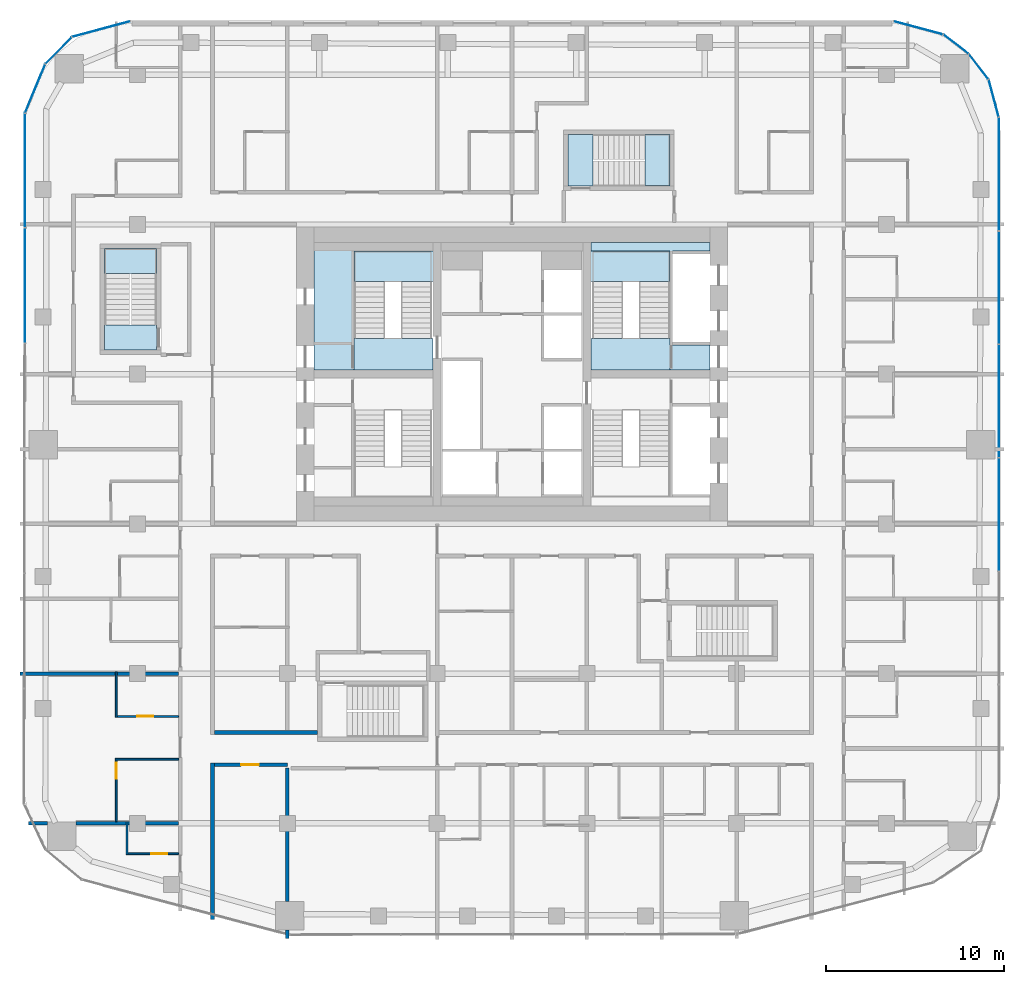
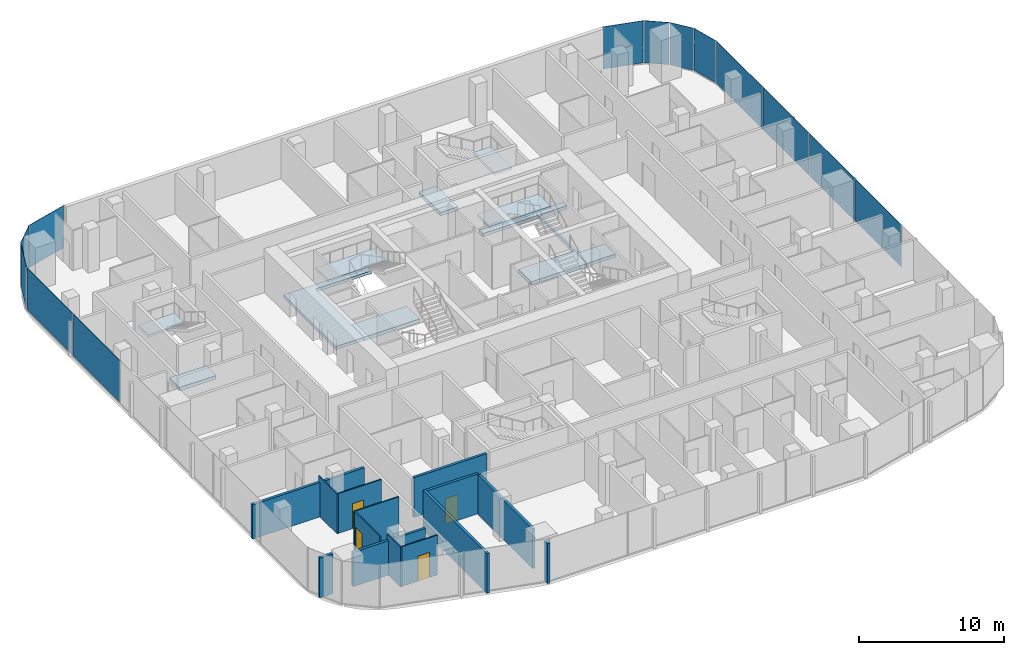
# One storey, part 13 of 23: 14 walls, 13 plates, 10 slabs, 4 doors, 4 openings, 13 elements without a shape of their own.
"""IFC4 building model written with IfcOpenShell, lengths in metres."""

from ifc_helpers import new_model, si_unit, direction, frame, frame_2d, origin, origin_2d, place, context, subcontext, project, spatial, polyline, rectangle, outline, extrude, material, layer, layer_set, type_object, element, fill, aggregate, save


model = new_model("IFC4")

# Units and contexts
model_context = context("Model", 3, precision=1e-05, world=origin(), true_north=direction((0.0, 1.0)))
body_context = subcontext(model_context, "Body", "Model", "MODEL_VIEW")
ifc_project = project(units=[si_unit("LENGTHUNIT", "METRE"), si_unit("AREAUNIT", "SQUARE_METRE"), si_unit("VOLUMEUNIT", "CUBIC_METRE"), si_unit("PLANEANGLEUNIT", "RADIAN"), si_unit("MASSUNIT", "GRAM", prefix="KILO")], contexts=[model_context])

# Site, building, storey
site_placement = place(None, origin())
site = spatial("IfcSite", under=ifc_project, at=site_placement, CompositionType="ELEMENT")
building_placement = place(site_placement, origin())
building = spatial("IfcBuilding", under=site, at=building_placement, Name="Marenta Gate Hotel Tower", CompositionType="ELEMENT")
storey_placement = place(building_placement, frame((0.0, 0.0, 140.89990234375)))
storey = spatial("IfcBuildingStorey", under=building, at=storey_placement, Name="L32", CompositionType="ELEMENT", Elevation=140.89990234375)

# Slabs
ifc_material_1 = material(Name="Concrete C40", Category="concrete")
ifc_layer_1 = layer(ifc_material_1, 0.260009765625)
ifc_layer_set_1 = layer_set([ifc_layer_1], Name="Concrete C40")
slab_type_1 = type_object("IfcSlabType", Name="Core floor slab 260", PredefinedType="FLOOR", material=ifc_layer_set_1)
slab_1_placement = place(storey_placement, frame((0.0, 0.0, -0.260009765625)))
element("IfcSlab", 1, at=slab_1_placement, inside=storey, type_object=slab_type_1, Name="L32-CF-3", PredefinedType="FLOOR", context=body_context, shape_type="SweptSolid", body=[
    extrude(outline(polyline([(8.85009765625, 15.300048828125), (4.425048828125, 15.300048828125), (4.425048828125, 15.800048828125), (11.10009765625, 15.800048828125), (11.10009765625, 15.300048828125), (9.0, 15.300048828125), (9.0, 15.14990234375), (9.0, 12.75), (9.0, 12.60009765625), (9.0, 10.199951171875), (9.0, 10.050048828125), (11.10009765625, 10.050048828125), (11.10009765625, 8.625), (8.85009765625, 8.625), (8.85009765625, 8.699951171875), (8.85009765625, 10.39990234375), (8.85009765625, 15.300048828125)])), origin(), (0.0, 0.0, 1.0), 0.260009765625),
])
slab_2_placement = place(storey_placement, frame((0.0, 0.0, -0.260009765625)))
element("IfcSlab", 2, at=slab_2_placement, inside=storey, type_object=slab_type_1, Name="L32-CF-6", PredefinedType="FLOOR", context=body_context, shape_type="SweptSolid", body=[
    extrude(outline(polyline([(-4.425048828125, 15.300048828125), (-8.85009765625, 15.300048828125), (-8.85009765625, 10.39990234375), (-8.85009765625, 8.699951171875), (-8.85009765625, 8.625), (-11.10009765625, 8.625), (-11.10009765625, 15.800048828125), (-4.425048828125, 15.800048828125), (-4.425048828125, 15.300048828125)])), origin(), (0.0, 0.0, 1.0), 0.260009765625),
])

# Stair, slab
ifc_material_2 = material(Name="Concrete C40", Category="concrete")
stair_type_1 = type_object("IfcStairType", Name="Core exit stair 1700 wide", PredefinedType="HALF_TURN_STAIR", material=ifc_material_2)
stair_1_placement = place(storey_placement, origin())
stair_1 = element("IfcStair", 3, at=stair_1_placement, inside=storey, type_object=stair_type_1, Name="Exit stair 2", PredefinedType="HALF_TURN_STAIR")
ifc_material_3 = material(Name="Concrete C40", Category="concrete")
ifc_layer_2 = layer(ifc_material_3, 0.199951171875)
ifc_layer_set_2 = layer_set([ifc_layer_2], Name="Concrete C40")
slab_type_2 = type_object("IfcSlabType", Name="Core stair landing 200", PredefinedType="LANDING", material=ifc_layer_set_2)
slab_3_placement = place(storey_placement, frame((0.0, 0.0, 1.60009765625)))
slab_3 = element("IfcSlab", 4, at=slab_3_placement, type_object=slab_type_2, Name="SL-200 ST2 landing 1", PredefinedType="LANDING", context=body_context, shape_type="SweptSolid", body=[
    extrude(outline(polyline([(-8.85009765625, 13.590087890625), (-3.97509765625, 13.590087890625), (-3.97509765625, 15.300048828125), (-8.85009765625, 15.300048828125), (-8.85009765625, 13.590087890625)])), origin(), (0.0, 0.0, 1.0), 0.199951171875),
])
aggregate(stair_1, [slab_3])

stair_2_placement = place(storey_placement, origin())
stair_2 = element("IfcStair", 5, at=stair_2_placement, inside=storey, type_object=stair_type_1, Name="Exit stair 4", PredefinedType="HALF_TURN_STAIR")
slab_4_placement = place(storey_placement, frame((0.0, 0.0, 1.60009765625)))
slab_4 = element("IfcSlab", 6, at=slab_4_placement, type_object=slab_type_2, Name="SL-200 ST4 landing 1", PredefinedType="LANDING", context=body_context, shape_type="SweptSolid", body=[
    extrude(outline(polyline([(3.97509765625, 13.590087890625), (8.85009765625, 13.590087890625), (8.85009765625, 15.300048828125), (3.97509765625, 15.300048828125), (3.97509765625, 13.590087890625)])), origin(), (0.0, 0.0, 1.0), 0.199951171875),
])
aggregate(stair_2, [slab_4])

# Curtain wall, plate
ifc_material_4 = material(Name="Tinted insulated glass in bronze anodised frame", Category="glass")
ifc_layer_3 = layer(ifc_material_4, 0.1201171875)
ifc_layer_set_3 = layer_set([ifc_layer_3], Name="Tinted insulated glass in bronze anodised frame")
curtain_wall_type = type_object("IfcCurtainWallType", Name="Tower unitised curtain wall CW1", PredefinedType="NOTDEFINED", material=ifc_layer_set_3)
curtain_wall_1_placement = place(storey_placement, origin())
curtain_wall_1 = element("IfcCurtainWall", 7, at=curtain_wall_1_placement, inside=storey, type_object=curtain_wall_type, Name="CW1 run G00", PredefinedType="NOTDEFINED")
ifc_material_5 = material(Name="Tinted insulated glass", Category="glass")
ifc_layer_4 = layer(ifc_material_5, 0.028076171875)
ifc_layer_set_4 = layer_set([ifc_layer_4], Name="Tinted insulated glass")
plate_type = type_object("IfcPlateType", Name="Glass panel CW1 28 mm tinted insulated unit", PredefinedType="CURTAIN_PANEL", material=ifc_layer_set_4)
plate_1_placement = place(storey_placement, frame((-23.04052734375, 27.759765625, 0.06005859375), z_axis=(0.0, 0.0, 1.0), x_axis=(-0.96593059835, -0.258801234873, 0.0)))
plate_1 = element("IfcPlate", 8, at=plate_1_placement, type_object=plate_type, Name="CW1 panel 1.1", PredefinedType="CURTAIN_PANEL", context=body_context, shape_type="SweptSolid", body=[
    extrude(rectangle(XDim=3.366943359375, YDim=0.028076171875, at=origin_2d()), origin(), (0.0, 0.0, 1.0), 3.5400390625),
])
aggregate(curtain_wall_1, [plate_1])

curtain_wall_2_placement = place(storey_placement, origin())
curtain_wall_2 = element("IfcCurtainWall", 9, at=curtain_wall_2_placement, inside=storey, type_object=curtain_wall_type, Name="CW1 run G01", PredefinedType="NOTDEFINED")
plate_2_placement = place(storey_placement, frame((-25.440673828125, 26.550048828125, 0.06005859375), z_axis=(0.0, 0.0, 1.0), x_axis=(-0.707106781187, -0.707106781187, 0.0)))
plate_2 = element("IfcPlate", 10, at=plate_2_placement, type_object=plate_type, Name="CW1 panel 1.1", PredefinedType="CURTAIN_PANEL", context=body_context, shape_type="SweptSolid", body=[
    extrude(rectangle(XDim=2.069091796875, YDim=0.028076171875, at=origin_2d()), origin(), (0.0, 0.0, 1.0), 3.5400390625),
])
aggregate(curtain_wall_2, [plate_2])

curtain_wall_3_placement = place(storey_placement, origin())
curtain_wall_3 = element("IfcCurtainWall", 11, at=curtain_wall_3_placement, inside=storey, type_object=curtain_wall_type, Name="CW1 run G02", PredefinedType="NOTDEFINED")
plate_3_placement = place(storey_placement, frame((-26.75390625, 24.41455078125, 0.06005859375), z_axis=(0.0, 0.0, 1.0), x_axis=(-0.382671975111, -0.923884278178, 0.0)))
plate_3 = element("IfcPlate", 12, at=plate_3_placement, type_object=plate_type, Name="CW1 panel 1.1", PredefinedType="CURTAIN_PANEL", context=body_context, shape_type="SweptSolid", body=[
    extrude(rectangle(XDim=2.919189453125, YDim=0.028076171875, at=origin_2d()), origin(), (0.0, 0.0, 1.0), 3.5400390625),
])
aggregate(curtain_wall_3, [plate_3])

# Curtain wall, plates
curtain_wall_4_placement = place(storey_placement, origin())
curtain_wall_4 = element("IfcCurtainWall", 13, at=curtain_wall_4_placement, inside=storey, type_object=curtain_wall_type, Name="CW1 run G03", PredefinedType="NOTDEFINED")
plate_4_placement = place(storey_placement, frame((-27.3173828125, 19.8212890625, 0.06005859375), z_axis=(0.0, 0.0, 1.0), x_axis=(-0.001566045546, -0.99999877375, 0.0)))
plate_4 = element("IfcPlate", 14, at=plate_4_placement, type_object=plate_type, Name="CW1 panel 1.1", PredefinedType="CURTAIN_PANEL", context=body_context, shape_type="SweptSolid", body=[
    extrude(rectangle(XDim=6.3701171875, YDim=0.028076171875, at=origin_2d()), origin(), (0.0, 0.0, 1.0), 3.5400390625),
])
plate_5_placement = place(storey_placement, frame((-27.327392578125, 13.376220703125, 0.06005859375), z_axis=(0.0, 0.0, 1.0), x_axis=(-0.001566045546, -0.99999877375, 0.0)))
plate_5 = element("IfcPlate", 15, at=plate_5_placement, type_object=plate_type, Name="CW1 panel 2.1", PredefinedType="CURTAIN_PANEL", context=body_context, shape_type="SweptSolid", body=[
    extrude(rectangle(XDim=6.39990234375, YDim=0.028076171875, at=origin_2d()), origin(), (0.0, 0.0, 1.0), 3.5400390625),
])
aggregate(curtain_wall_4, [plate_4, plate_5])

curtain_wall_5_placement = place(storey_placement, origin())
curtain_wall_5 = element("IfcCurtainWall", 16, at=curtain_wall_5_placement, inside=storey, type_object=curtain_wall_type, Name="CW1 run G11", PredefinedType="NOTDEFINED")
plate_6_placement = place(storey_placement, frame((27.31396484375, 0.531982421875, 0.06005859375), z_axis=(0.0, 0.0, 1.0), x_axis=(0.0, 1.0, 0.0)))
plate_6 = element("IfcPlate", 17, at=plate_6_placement, type_object=plate_type, Name="CW1 panel 3.1", PredefinedType="CURTAIN_PANEL", context=body_context, shape_type="SweptSolid", body=[
    extrude(rectangle(XDim=6.300048828125, YDim=0.028076171875, at=origin_2d()), origin(), (0.0, 0.0, 1.0), 3.5400390625),
])
plate_7_placement = place(storey_placement, frame((27.31396484375, 6.891845703125, 0.06005859375), z_axis=(0.0, 0.0, 1.0), x_axis=(0.0, 1.0, 0.0)))
plate_7 = element("IfcPlate", 18, at=plate_7_placement, type_object=plate_type, Name="CW1 panel 4.1", PredefinedType="CURTAIN_PANEL", context=body_context, shape_type="SweptSolid", body=[
    extrude(rectangle(XDim=6.300048828125, YDim=0.028076171875, at=origin_2d()), origin(), (0.0, 0.0, 1.0), 3.5400390625),
])
plate_8_placement = place(storey_placement, frame((27.31396484375, 13.251953125, 0.06005859375), z_axis=(0.0, 0.0, 1.0), x_axis=(0.0, 1.0, 0.0)))
plate_8 = element("IfcPlate", 19, at=plate_8_placement, type_object=plate_type, Name="CW1 panel 5.1", PredefinedType="CURTAIN_PANEL", context=body_context, shape_type="SweptSolid", body=[
    extrude(rectangle(XDim=6.300048828125, YDim=0.028076171875, at=origin_2d()), origin(), (0.0, 0.0, 1.0), 3.5400390625),
])
plate_9_placement = place(storey_placement, frame((27.31396484375, 19.626953125, 0.06005859375), z_axis=(0.0, 0.0, 1.0), x_axis=(0.0, 1.0, 0.0)))
plate_9 = element("IfcPlate", 20, at=plate_9_placement, type_object=plate_type, Name="CW1 panel 6.1", PredefinedType="CURTAIN_PANEL", context=body_context, shape_type="SweptSolid", body=[
    extrude(rectangle(XDim=6.330078125, YDim=0.028076171875, at=origin_2d()), origin(), (0.0, 0.0, 1.0), 3.5400390625),
])
aggregate(curtain_wall_5, [plate_6, plate_7, plate_8, plate_9])

# Curtain wall, plate
curtain_wall_6_placement = place(storey_placement, origin())
curtain_wall_6 = element("IfcCurtainWall", 21, at=curtain_wall_6_placement, inside=storey, type_object=curtain_wall_type, Name="CW1 run G12", PredefinedType="NOTDEFINED")
plate_10_placement = place(storey_placement, frame((27.022216796875, 23.880615234375, 0.06005859375), z_axis=(0.0, 0.0, 1.0), x_axis=(-0.258822651658, 0.965924859908, 0.0)))
plate_10 = element("IfcPlate", 22, at=plate_10_placement, type_object=plate_type, Name="CW1 panel 1.1", PredefinedType="CURTAIN_PANEL", context=body_context, shape_type="SweptSolid", body=[
    extrude(rectangle(XDim=2.13427734375, YDim=0.028076171875, at=origin_2d()), origin(), (0.0, 0.0, 1.0), 3.5400390625),
])
aggregate(curtain_wall_6, [plate_10])

curtain_wall_7_placement = place(storey_placement, origin())
curtain_wall_7 = element("IfcCurtainWall", 23, at=curtain_wall_7_placement, inside=storey, type_object=curtain_wall_type, Name="CW1 run G13", PredefinedType="NOTDEFINED")
plate_11_placement = place(storey_placement, frame((26.177490234375, 25.652099609375, 0.06005859375), z_axis=(0.0, 0.0, 1.0), x_axis=(-0.608796116694, 0.793326722289, 0.0)))
plate_11 = element("IfcPlate", 24, at=plate_11_placement, type_object=plate_type, Name="CW1 panel 1.1", PredefinedType="CURTAIN_PANEL", context=body_context, shape_type="SweptSolid", body=[
    extrude(rectangle(XDim=1.747802734375, YDim=0.028076171875, at=origin_2d()), origin(), (0.0, 0.0, 1.0), 3.5400390625),
])
aggregate(curtain_wall_7, [plate_11])

curtain_wall_8_placement = place(storey_placement, origin())
curtain_wall_8 = element("IfcCurtainWall", 25, at=curtain_wall_8_placement, inside=storey, type_object=curtain_wall_type, Name="CW1 run G14", PredefinedType="NOTDEFINED")
plate_12_placement = place(storey_placement, frame((24.904541015625, 26.9140625, 0.06005859375), z_axis=(0.0, 0.0, 1.0), x_axis=(-0.793326722289, 0.608796116694, 0.0)))
plate_12 = element("IfcPlate", 26, at=plate_12_placement, type_object=plate_type, Name="CW1 panel 1.1", PredefinedType="CURTAIN_PANEL", context=body_context, shape_type="SweptSolid", body=[
    extrude(rectangle(XDim=1.747802734375, YDim=0.028076171875, at=origin_2d()), origin(), (0.0, 0.0, 1.0), 3.5400390625),
])
aggregate(curtain_wall_8, [plate_12])

curtain_wall_9_placement = place(storey_placement, origin())
curtain_wall_9 = element("IfcCurtainWall", 27, at=curtain_wall_9_placement, inside=storey, type_object=curtain_wall_type, Name="CW1 run G15", PredefinedType="NOTDEFINED")
plate_13_placement = place(storey_placement, frame((22.783935546875, 27.82861328125, 0.06005859375), z_axis=(0.0, 0.0, 1.0), x_axis=(-0.965929324305, 0.258805989975, 0.0)))
plate_13 = element("IfcPlate", 28, at=plate_13_placement, type_object=plate_type, Name="CW1 panel 1.1", PredefinedType="CURTAIN_PANEL", context=body_context, shape_type="SweptSolid", body=[
    extrude(rectangle(XDim=2.83544921875, YDim=0.028076171875, at=origin_2d()), origin(), (0.0, 0.0, 1.0), 3.5400390625),
])
aggregate(curtain_wall_9, [plate_13])

# Stair, slab
ifc_material_6 = material(Name="Concrete C40", Category="concrete")
stair_type_2 = type_object("IfcStairType", Name="Remote exit stair 1400 wide", PredefinedType="HALF_TURN_STAIR", material=ifc_material_6)
stair_3_placement = place(storey_placement, origin())
stair_3 = element("IfcStair", 29, at=stair_3_placement, inside=storey, type_object=stair_type_2, Name="Exit stair RS-Z1-3", PredefinedType="HALF_TURN_STAIR")
ifc_material_7 = material(Name="Concrete C40", Category="concrete")
ifc_layer_5 = layer(ifc_material_7, 0.199951171875)
ifc_layer_set_5 = layer_set([ifc_layer_5], Name="Concrete C40")
slab_type_3 = type_object("IfcSlabType", Name="Remote stair landing 200", PredefinedType="LANDING", material=ifc_layer_set_5)
slab_5_placement = place(storey_placement, frame((0.0, 0.0, 1.60009765625)))
slab_5 = element("IfcSlab", 30, at=slab_5_placement, type_object=slab_type_3, Name="RL-200 RS-Z1-3 landing 1", PredefinedType="LANDING", context=body_context, shape_type="SweptSolid", body=[
    extrude(outline(polyline([(-22.85009765625, 14.050048828125), (-19.949951171875, 14.050048828125), (-19.949951171875, 15.449951171875), (-22.85009765625, 15.449951171875), (-22.85009765625, 14.050048828125)])), origin(), (0.0, 0.0, 1.0), 0.199951171875),
])
aggregate(stair_3, [slab_5])

stair_4_placement = place(storey_placement, origin())
stair_4 = element("IfcStair", 31, at=stair_4_placement, inside=storey, type_object=stair_type_2, Name="Exit stair RS-Z2-4", PredefinedType="HALF_TURN_STAIR")
slab_6_placement = place(storey_placement, frame((0.0, 0.0, 1.60009765625)))
slab_6 = element("IfcSlab", 32, at=slab_6_placement, type_object=slab_type_3, Name="RL-200 RS-Z2-4 landing 1", PredefinedType="LANDING", context=body_context, shape_type="SweptSolid", body=[
    extrude(outline(polyline([(7.449951171875, 18.949951171875), (8.85009765625, 18.949951171875), (8.85009765625, 21.85009765625), (7.449951171875, 21.85009765625), (7.449951171875, 18.949951171875)])), origin(), (0.0, 0.0, 1.0), 0.199951171875),
])
aggregate(stair_4, [slab_6])

# Slabs
ifc_material_8 = material(Name="Concrete C40", Category="concrete")
ifc_layer_6 = layer(ifc_material_8, 0.300048828125)
ifc_layer_set_6 = layer_set([ifc_layer_6], Name="Concrete C40")
slab_type_4 = type_object("IfcSlabType", Name="Stair floor landing slab 300", PredefinedType="FLOOR", material=ifc_layer_set_6)
slab_7_placement = place(storey_placement, frame((0.0, 0.0, -0.2998046875)))
element("IfcSlab", 33, at=slab_7_placement, inside=storey, type_object=slab_type_4, Name="L32-CL-ST2-1", PredefinedType="FLOOR", context=body_context, shape_type="SweptSolid", body=[
    extrude(outline(polyline([(-4.425048828125, 8.625), (-8.85009765625, 8.625), (-8.85009765625, 8.699951171875), (-8.85009765625, 10.39990234375), (-4.425048828125, 10.39990234375), (-4.425048828125, 8.625)])), origin(), (0.0, 0.0, 1.0), 0.2998046875),
])
slab_8_placement = place(storey_placement, frame((0.0, 0.0, -0.2998046875)))
element("IfcSlab", 34, at=slab_8_placement, inside=storey, type_object=slab_type_4, Name="L32-CL-ST4-1", PredefinedType="FLOOR", context=body_context, shape_type="SweptSolid", body=[
    extrude(outline(polyline([(4.425048828125, 8.625), (4.425048828125, 10.39990234375), (8.85009765625, 10.39990234375), (8.85009765625, 8.699951171875), (8.85009765625, 8.625), (4.425048828125, 8.625)])), origin(), (0.0, 0.0, 1.0), 0.2998046875),
])
slab_9_placement = place(storey_placement, frame((0.0, 0.0, -0.2998046875)))
element("IfcSlab", 35, at=slab_9_placement, inside=storey, type_object=slab_type_4, Name="L32-RS-Z1-3-CL", PredefinedType="FLOOR", context=body_context, shape_type="SweptSolid", body=[
    extrude(outline(polyline([(-19.949951171875, 9.75), (-19.949951171875, 11.14990234375), (-22.85009765625, 11.14990234375), (-22.85009765625, 9.75), (-19.949951171875, 9.75)])), origin(), (0.0, 0.0, 1.0), 0.2998046875),
])
slab_10_placement = place(storey_placement, frame((0.0, 0.0, -0.2998046875)))
element("IfcSlab", 36, at=slab_10_placement, inside=storey, type_object=slab_type_4, Name="L32-RS-Z2-4-CL", PredefinedType="FLOOR", context=body_context, shape_type="SweptSolid", body=[
    extrude(outline(polyline([(4.550048828125, 18.949951171875), (4.550048828125, 21.85009765625), (3.14990234375, 21.85009765625), (3.14990234375, 18.949951171875), (4.550048828125, 18.949951171875)])), origin(), (0.0, 0.0, 1.0), 0.2998046875),
])

# Wall, opening, door
ifc_material_9 = material(Name="Gypsum board on steel stud", Category="steel")
ifc_layer_7 = layer(ifc_material_9, 0.199951171875)
ifc_layer_set_7 = layer_set([ifc_layer_7], Name="Gypsum board on steel stud")
wall_type_1 = type_object("IfcWallType", Name="Room corridor wall 200 EI 60", PredefinedType="PARTITIONING", material=ifc_layer_set_7)
wall_1_placement = place(storey_placement, frame((-16.699951171875, -13.5, 0.0), z_axis=(0.0, 0.0, 1.0), x_axis=(1.0, 0.0, 0.0)))
wall_1 = element("IfcWall", 37, at=wall_1_placement, inside=storey, type_object=wall_type_1, Name="L32-PTN-W029", PredefinedType="PARTITIONING", context=body_context, shape_type="SweptSolid", body=[
    extrude(rectangle(XDim=4.099853515625, YDim=0.199951171875, at=frame_2d((2.0498046875, 0.0))), origin(), (0.0, 0.0, 1.0), 3.340087890625),
])
opening_1_placement = place(wall_1_placement, frame((1.5, 0.0, 0.0)))
opening_1 = element("IfcOpeningElement", 38, at=opening_1_placement, cuts=wall_1, Name="Opening G12-38", PredefinedType="OPENING", context=body_context, shape_type="SweptSolid", body=[
    extrude(rectangle(XDim=1.0, YDim=2.10009765625, at=frame_2d((0.5, 1.050048828125))), frame((0.0, 0.10009765625, 0.0), z_axis=(0.0, -1.0, 0.0), x_axis=(1.0, 0.0, 0.0)), (0.0, 0.0, 1.0), 0.199951171875),
])
ifc_material_10 = material(Name="Timber door leaf", Category="wood")
door_type_1 = type_object("IfcDoorType", Name="Room amenity door 1000x2100 EI 30", OperationType="NOTDEFINED", PredefinedType="DOOR", material=ifc_material_10)
door_1_placement = place(opening_1_placement, origin())
door_1 = element("IfcDoor", 39, at=door_1_placement, inside=storey, type_object=door_type_1, Name="L32-PD-D038", OperationType="SINGLE_SWING_LEFT", OverallHeight=2.10009765625, OverallWidth=1.0, PredefinedType="DOOR", context=body_context, shape_type="SweptSolid", body=[
    extrude(rectangle(XDim=1.0, YDim=2.10009765625, at=frame_2d((0.5, 1.050048828125))), frame((0.0, 0.02490234375, 0.0), z_axis=(0.0, -1.0, 0.0), x_axis=(1.0, 0.0, 0.0)), (0.0, 0.0, 1.0), 0.050048828125),
])
fill(opening_1, door_1)

# Walls
wall_2_placement = place(storey_placement, frame((-16.699951171875, -11.699951171875, 0.0), z_axis=(0.0, 0.0, 1.0), x_axis=(1.0, 0.0, 0.0)))
element("IfcWall", 40, at=wall_2_placement, inside=storey, type_object=wall_type_1, Name="L32-PTN-W037", PredefinedType="PARTITIONING", context=body_context, shape_type="SweptSolid", body=[
    extrude(rectangle(XDim=5.800048828125, YDim=0.199951171875, at=frame_2d((2.89990234375, 0.0))), origin(), (0.0, 0.0, 1.0), 3.340087890625),
])
wall_3_placement = place(storey_placement, frame((-16.800048828125, -22.18603515625, 0.0), z_axis=(0.0, 0.0, 1.0), x_axis=(0.0, 1.0, 0.0)))
element("IfcWall", 41, at=wall_3_placement, inside=storey, type_object=wall_type_1, Name="L32-PTN-W103", PredefinedType="PARTITIONING", context=body_context, shape_type="SweptSolid", body=[
    extrude(rectangle(XDim=8.7861328125, YDim=0.199951171875, at=frame_2d((4.39306640625, 0.0))), origin(), (0.0, 0.0, 1.0), 3.340087890625),
])

# Wall, opening, door
ifc_material_11 = material(Name="Gypsum board on steel stud", Category="steel")
ifc_layer_8 = layer(ifc_material_11, 0.10009765625)
ifc_layer_set_8 = layer_set([ifc_layer_8], Name="Gypsum board on steel stud")
wall_type_2 = type_object("IfcWallType", Name="Room partition 100", PredefinedType="PARTITIONING", material=ifc_layer_set_8)
wall_4_placement = place(storey_placement, frame((-21.550048828125, -18.5, 0.0), z_axis=(0.0, 0.0, 1.0), x_axis=(1.0, 0.0, 0.0)))
wall_4 = element("IfcWall", 42, at=wall_4_placement, inside=storey, type_object=wall_type_2, Name="L32-PTN-W014", PredefinedType="PARTITIONING", context=body_context, shape_type="SweptSolid", body=[
    extrude(rectangle(XDim=2.85009765625, YDim=0.10009765625, at=frame_2d((1.425048828125, 0.0))), origin(), (0.0, 0.0, 1.0), 3.340087890625),
])
opening_2_placement = place(wall_4_placement, frame((1.300048828125, 0.0, 0.0)))
opening_2 = element("IfcOpeningElement", 43, at=opening_2_placement, cuts=wall_4, Name="Opening G12-51", PredefinedType="OPENING", context=body_context, shape_type="SweptSolid", body=[
    extrude(rectangle(XDim=0.89990234375, YDim=2.10009765625, at=frame_2d((0.449951171875, 1.050048828125))), frame((0.0, 0.050048828125, 0.0), z_axis=(0.0, -1.0, 0.0), x_axis=(1.0, 0.0, 0.0)), (0.0, 0.0, 1.0), 0.10009765625),
])
ifc_material_12 = material(Name="Timber door leaf", Category="wood")
door_type_2 = type_object("IfcDoorType", Name="Guest bathroom door 900x2100", OperationType="NOTDEFINED", PredefinedType="DOOR", material=ifc_material_12)
door_2_placement = place(opening_2_placement, origin())
door_2 = element("IfcDoor", 44, at=door_2_placement, inside=storey, type_object=door_type_2, Name="L32-PD-D051", OperationType="SINGLE_SWING_RIGHT", OverallHeight=2.10009765625, OverallWidth=0.89990234375, PredefinedType="DOOR", context=body_context, shape_type="SweptSolid", body=[
    extrude(rectangle(XDim=0.89990234375, YDim=2.10009765625, at=frame_2d((0.449951171875, 1.050048828125))), frame((0.0, 0.02490234375, 0.0), z_axis=(0.0, -1.0, 0.0), x_axis=(1.0, 0.0, 0.0)), (0.0, 0.0, 1.0), 0.050048828125),
])
fill(opening_2, door_2)

# Wall
wall_5_placement = place(storey_placement, frame((-22.25, -13.199951171875, 0.0), z_axis=(0.0, 0.0, 1.0), x_axis=(1.0, 0.0, 0.0)))
element("IfcWall", 45, at=wall_5_placement, inside=storey, type_object=wall_type_2, Name="L32-PTN-W031", PredefinedType="PARTITIONING", context=body_context, shape_type="SweptSolid", body=[
    extrude(rectangle(XDim=3.550048828125, YDim=0.10009765625, at=frame_2d((1.77490234375, 0.0))), origin(), (0.0, 0.0, 1.0), 3.340087890625),
])

# Wall, opening, door
wall_6_placement = place(storey_placement, frame((-22.14990234375, -10.800048828125, 0.0), z_axis=(0.0, 0.0, 1.0), x_axis=(1.0, 0.0, 0.0)))
wall_6 = element("IfcWall", 46, at=wall_6_placement, inside=storey, type_object=wall_type_2, Name="L32-PTN-W040", PredefinedType="PARTITIONING", context=body_context, shape_type="SweptSolid", body=[
    extrude(rectangle(XDim=3.449951171875, YDim=0.10009765625, at=frame_2d((1.72509765625, 0.0))), origin(), (0.0, 0.0, 1.0), 3.340087890625),
])
opening_3_placement = place(wall_6_placement, frame((1.1201171875, 0.0, 0.0)))
opening_3 = element("IfcOpeningElement", 47, at=opening_3_placement, cuts=wall_6, Name="Opening G12-54", PredefinedType="OPENING", context=body_context, shape_type="SweptSolid", body=[
    extrude(rectangle(XDim=0.89990234375, YDim=2.10009765625, at=frame_2d((0.449951171875, 1.050048828125))), frame((0.0, 0.050048828125, 0.0), z_axis=(0.0, -1.0, 0.0), x_axis=(1.0, 0.0, 0.0)), (0.0, 0.0, 1.0), 0.10009765625),
])
ifc_material_13 = material(Name="Timber door leaf", Category="wood")
door_type_3 = type_object("IfcDoorType", Name="Room inner door 900x2100", OperationType="NOTDEFINED", PredefinedType="DOOR", material=ifc_material_13)
door_3_placement = place(opening_3_placement, origin())
door_3 = element("IfcDoor", 48, at=door_3_placement, inside=storey, type_object=door_type_3, Name="L32-PD-D054", OperationType="SINGLE_SWING_LEFT", OverallHeight=2.10009765625, OverallWidth=0.89990234375, PredefinedType="DOOR", context=body_context, shape_type="SweptSolid", body=[
    extrude(rectangle(XDim=0.89990234375, YDim=2.10009765625, at=frame_2d((0.449951171875, 1.050048828125))), frame((0.0, 0.02490234375, 0.0), z_axis=(0.0, -1.0, 0.0), x_axis=(1.0, 0.0, 0.0)), (0.0, 0.0, 1.0), 0.050048828125),
])
fill(opening_3, door_3)

# Wall
wall_7_placement = place(storey_placement, frame((-21.60009765625, -18.550048828125, 0.0), z_axis=(0.0, 0.0, 1.0), x_axis=(0.0, 1.0, 0.0)))
element("IfcWall", 49, at=wall_7_placement, inside=storey, type_object=wall_type_2, Name="L32-PTN-W116", PredefinedType="PARTITIONING", context=body_context, shape_type="SweptSolid", body=[
    extrude(rectangle(XDim=1.85009765625, YDim=0.10009765625, at=frame_2d((0.925048828125, 0.0))), origin(), (0.0, 0.0, 1.0), 3.340087890625),
])

# Wall, opening, door
wall_8_placement = place(storey_placement, frame((-22.199951171875, -16.699951171875, 0.0), z_axis=(0.0, 0.0, 1.0), x_axis=(0.0, 1.0, 0.0)))
wall_8 = element("IfcWall", 50, at=wall_8_placement, inside=storey, type_object=wall_type_2, Name="L32-PTN-W121", PredefinedType="PARTITIONING", context=body_context, shape_type="SweptSolid", body=[
    extrude(rectangle(XDim=3.449951171875, YDim=0.10009765625, at=frame_2d((1.72509765625, 0.0))), origin(), (0.0, 0.0, 1.0), 3.340087890625),
])
opening_4_placement = place(wall_8_placement, frame((2.39990234375, 0.0, 0.0)))
opening_4 = element("IfcOpeningElement", 51, at=opening_4_placement, cuts=wall_8, Name="Opening G12-53", PredefinedType="OPENING", context=body_context, shape_type="SweptSolid", body=[
    extrude(rectangle(XDim=0.89990234375, YDim=2.10009765625, at=frame_2d((0.449951171875, 1.050048828125))), frame((0.0, 0.050048828125, 0.0), z_axis=(0.0, -1.0, 0.0), x_axis=(1.0, 0.0, 0.0)), (0.0, 0.0, 1.0), 0.10009765625),
])
door_4_placement = place(opening_4_placement, origin())
door_4 = element("IfcDoor", 52, at=door_4_placement, inside=storey, type_object=door_type_2, Name="L32-PD-D053", OperationType="SINGLE_SWING_LEFT", OverallHeight=2.10009765625, OverallWidth=0.89990234375, PredefinedType="DOOR", context=body_context, shape_type="SweptSolid", body=[
    extrude(rectangle(XDim=0.89990234375, YDim=2.10009765625, at=frame_2d((0.449951171875, 1.050048828125))), frame((0.0, 0.02490234375, 0.0), z_axis=(0.0, -1.0, 0.0), x_axis=(1.0, 0.0, 0.0)), (0.0, 0.0, 1.0), 0.050048828125),
])
fill(opening_4, door_4)

# Walls
wall_9_placement = place(storey_placement, frame((-22.199951171875, -10.85009765625, 0.0), z_axis=(0.0, 0.0, 1.0), x_axis=(0.0, 1.0, 0.0)))
element("IfcWall", 53, at=wall_9_placement, inside=storey, type_object=wall_type_2, Name="L32-PTN-W122", PredefinedType="PARTITIONING", context=body_context, shape_type="SweptSolid", body=[
    extrude(rectangle(XDim=2.550048828125, YDim=0.10009765625, at=frame_2d((1.27490234375, 0.0))), origin(), (0.0, 0.0, 1.0), 3.340087890625),
])
ifc_material_14 = material(Name="Gypsum board on steel stud", Category="steel")
ifc_layer_9 = layer(ifc_material_14, 0.199951171875)
ifc_layer_set_9 = layer_set([ifc_layer_9], Name="Gypsum board on steel stud")
wall_type_3 = type_object("IfcWallType", Name="Room party wall 200 EI 60", PredefinedType="PARTITIONING", material=ifc_layer_set_9)
wall_10_placement = place(storey_placement, frame((-27.112060546875, -16.800048828125, 0.0), z_axis=(0.0, 0.0, 1.0), x_axis=(1.0, 0.0, 0.0)))
element("IfcWall", 54, at=wall_10_placement, inside=storey, type_object=wall_type_3, Name="L32-PTN-W020", PredefinedType="PARTITIONING", context=body_context, shape_type="SweptSolid", body=[
    extrude(rectangle(XDim=1.049072265625, YDim=0.199951171875, at=frame_2d((0.5244140625, 0.0))), origin(), (0.0, 0.0, 1.0), 3.340087890625),
])
wall_11_placement = place(storey_placement, frame((-24.462890625, -16.800048828125, 0.0), z_axis=(0.0, 0.0, 1.0), x_axis=(1.0, 0.0, 0.0)))
element("IfcWall", 55, at=wall_11_placement, inside=storey, type_object=wall_type_3, Name="L32-PTN-W131", PredefinedType="PARTITIONING", context=body_context, shape_type="SweptSolid", body=[
    extrude(rectangle(XDim=5.762939453125, YDim=0.199951171875, at=frame_2d((2.88134765625, 0.0))), origin(), (0.0, 0.0, 1.0), 2.89013671875),
])
wall_12_placement = place(storey_placement, frame((-27.60009765625, -8.39990234375, 0.0), z_axis=(0.0, 0.0, 1.0), x_axis=(1.0, 0.0, 0.0)))
element("IfcWall", 56, at=wall_12_placement, inside=storey, type_object=wall_type_3, Name="L32-PTN-W047", PredefinedType="PARTITIONING", context=body_context, shape_type="SweptSolid", body=[
    extrude(rectangle(XDim=8.900146484375, YDim=0.199951171875, at=frame_2d((4.4501953125, 0.0))), origin(), (0.0, 0.0, 1.0), 2.89013671875),
])
wall_13_placement = place(storey_placement, frame((-12.60009765625, -23.26611328125, 0.0), z_axis=(0.0, 0.0, 1.0), x_axis=(0.0, 1.0, 0.0)))
element("IfcWall", 57, at=wall_13_placement, inside=storey, type_object=wall_type_3, Name="L32-PTN-W096", PredefinedType="PARTITIONING", context=body_context, shape_type="SweptSolid", body=[
    extrude(rectangle(XDim=0.4912109375, YDim=0.199951171875, at=frame_2d((0.24560546875, 0.0))), origin(), (0.0, 0.0, 1.0), 3.340087890625),
])
wall_14_placement = place(storey_placement, frame((-12.60009765625, -21.175048828125, 0.0), z_axis=(0.0, 0.0, 1.0), x_axis=(0.0, 1.0, 0.0)))
element("IfcWall", 58, at=wall_14_placement, inside=storey, type_object=wall_type_3, Name="L32-PTN-W136", PredefinedType="PARTITIONING", context=body_context, shape_type="SweptSolid", body=[
    extrude(rectangle(XDim=7.47509765625, YDim=0.199951171875, at=frame_2d((3.737548828125, 0.0))), origin(), (0.0, 0.0, 1.0), 3.340087890625),
])

save(model, "model.ifc")
